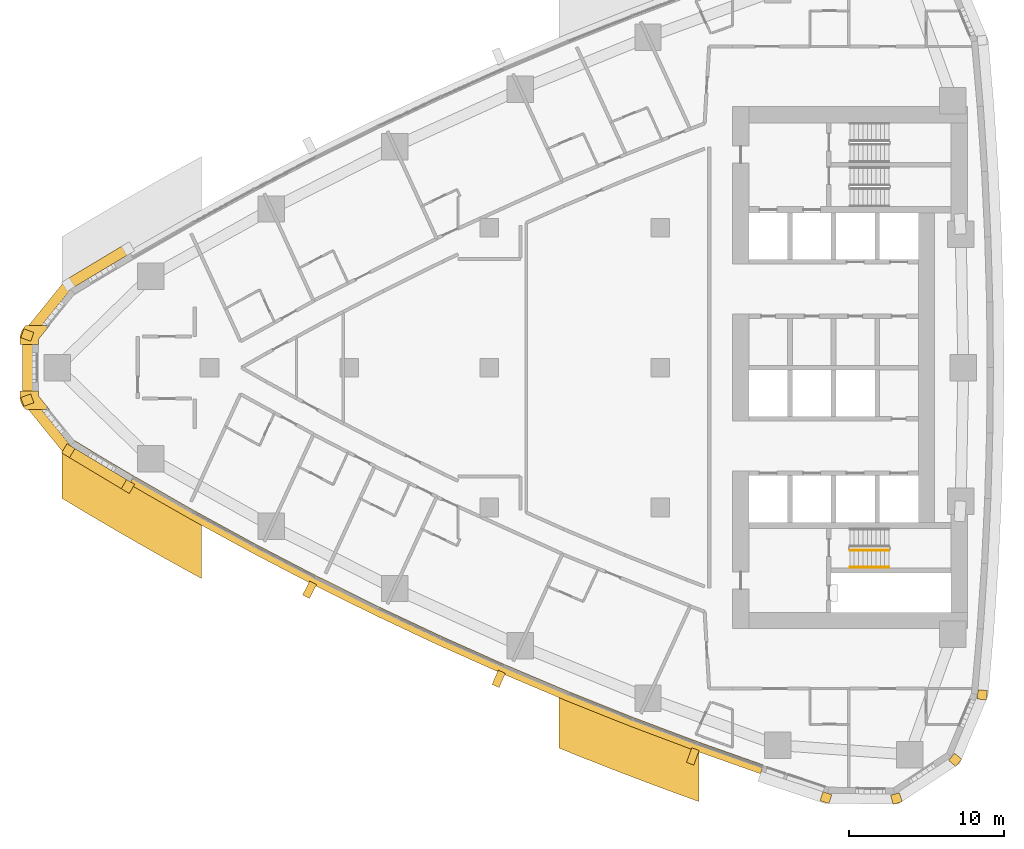
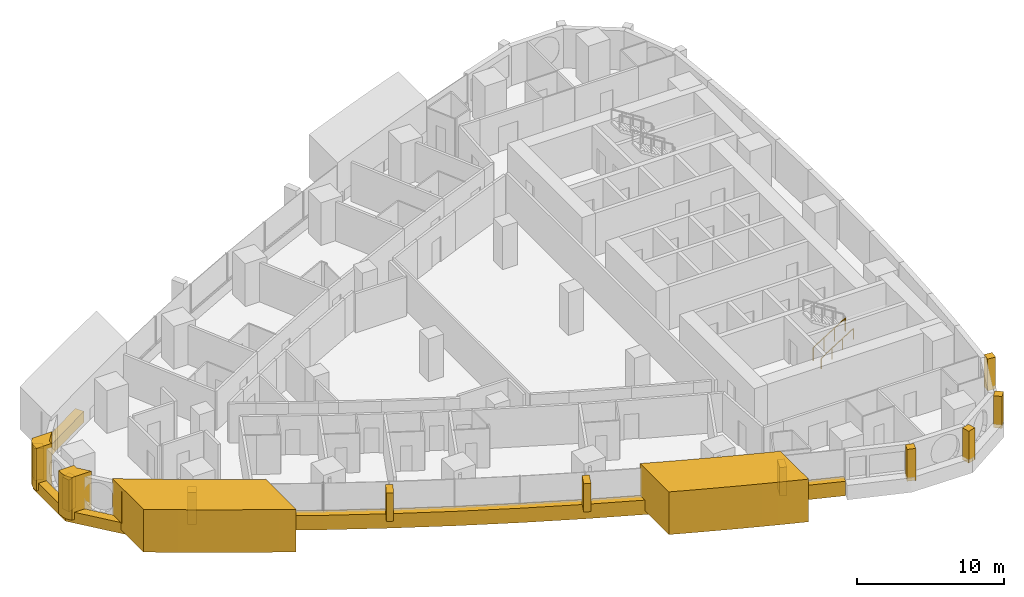
# One storey, part 14 of 17: 17 coverings, 2 railings.
"""IFC4 building model written with IfcOpenShell, lengths in metres."""

from ifc_helpers import new_model, si_unit, direction, frame, frame_2d, origin, origin_2d, place, context, subcontext, project, spatial, polyline, rectangle, circle, outline, extrude, material, layer, layer_set, type_object, element, save


model = new_model("IFC4")

# Units and contexts
model_context = context("Model", 3, precision=1e-05, world=origin(), true_north=direction((0.0, 1.0)))
body_context = subcontext(model_context, "Body", "Model", "MODEL_VIEW")
ifc_project = project(units=[si_unit("LENGTHUNIT", "METRE"), si_unit("AREAUNIT", "SQUARE_METRE"), si_unit("VOLUMEUNIT", "CUBIC_METRE"), si_unit("PLANEANGLEUNIT", "RADIAN"), si_unit("MASSUNIT", "GRAM", prefix="KILO")], contexts=[model_context])

# Site, building, storey
site_placement = place(None, origin())
site = spatial("IfcSite", under=ifc_project, at=site_placement, CompositionType="ELEMENT")
building_placement = place(site_placement, origin())
building = spatial("IfcBuilding", under=site, at=building_placement, Name="Ostrand Prow Hotel Tower", CompositionType="ELEMENT")
storey_placement = place(building_placement, frame((0.0, 0.0, 95.550048828125)))
storey = spatial("IfcBuildingStorey", under=building, at=storey_placement, Name="L22", CompositionType="ELEMENT", Elevation=95.550048828125)

# Coverings
ifc_material_1 = material(Name="Bronze anodised aluminium cladding", Category="aluminium")
ifc_layer_1 = layer(ifc_material_1, 0.60009765625)
ifc_layer_set_1 = layer_set([ifc_layer_1], Name="Bronze anodised aluminium cladding")
covering_type_1 = type_object("IfcCoveringType", Name="Bronze prow band 899x600", PredefinedType="CLADDING", material=ifc_layer_set_1)
covering_1_placement = place(storey_placement, frame((0.0, 0.0, -0.300048828125)))
element("IfcCovering", 1, at=covering_1_placement, inside=storey, type_object=covering_type_1, Name="Bronze prow band", PredefinedType="CLADDING", context=body_context, shape_type="SweptSolid", body=[
    extrude(outline(polyline([(10.580810546875, 7.9453125), (6.734130859375, 5.637939453125), (3.957763671875, 2.206787109375), (3.957763671875, -2.206787109375), (6.734130859375, -5.637939453125), (10.580810546875, -7.9453125), (10.9248046875, -7.358642578125), (7.089599609375, -5.058349609375), (4.598876953125, -1.97998046875), (4.598876953125, 1.97998046875), (7.089599609375, 5.058349609375), (10.9248046875, 7.358642578125), (10.580810546875, 7.9453125)])), origin(), (0.0, 0.0, 1.0), 0.89990234375),
])
ifc_material_2 = material(Name="Bronze anodised aluminium cladding", Category="aluminium")
ifc_layer_2 = layer(ifc_material_2, 0.60009765625)
ifc_layer_set_2 = layer_set([ifc_layer_2], Name="Bronze anodised aluminium cladding")
covering_type_2 = type_object("IfcCoveringType", Name="Bronze spandrel band 1200x600", PredefinedType="CLADDING", material=ifc_layer_set_2)
covering_2_placement = place(storey_placement, frame((0.0, 0.0, -0.300048828125)))
element("IfcCovering", 2, at=covering_2_placement, inside=storey, type_object=covering_type_2, Name="Spandrel band S1", PredefinedType="CLADDING", context=body_context, shape_type="SweptSolid", body=[
    extrude(outline(polyline([(10.841064453125, -7.50146484375), (14.72412109375, -9.726318359375), (18.651123046875, -11.872802734375), (22.620361328125, -13.940185546875), (26.6298828125, -15.927734375), (30.6787109375, -17.834716796875), (34.764892578125, -19.659912109375), (38.88671875, -21.4033203125), (43.042724609375, -23.0634765625), (47.231201171875, -24.64013671875), (51.4501953125, -26.1328125), (51.644775390625, -25.56494140625), (47.43701171875, -24.076416015625), (43.259765625, -22.504150390625), (39.114990234375, -20.848388671875), (35.004150390625, -19.10986328125), (30.928955078125, -17.289306640625), (26.89111328125, -15.3876953125), (22.89208984375, -13.4052734375), (18.93359375, -11.343505859375), (15.01708984375, -9.20263671875), (11.144287109375, -6.98388671875), (10.841064453125, -7.50146484375)])), origin(), (0.0, 0.0, 1.0), 1.199951171875),
])
ifc_material_3 = material(Name="Limestone cladding", Category="masonry")
ifc_layer_3 = layer(ifc_material_3, 5.0)
ifc_layer_set_3 = layer_set([ifc_layer_3], Name="Limestone cladding")
covering_type_3 = type_object("IfcCoveringType", Name="Portal jamb pilaster limestone", PredefinedType="CLADDING", material=ifc_layer_set_3)
covering_3_placement = place(storey_placement, origin())
element("IfcCovering", 3, at=covering_3_placement, inside=storey, type_object=covering_type_3, Name="Portal jamb SA L22", PredefinedType="CLADDING", context=body_context, shape_type="SweptSolid", body=[
    extrude(outline(polyline([(6.5, -4.184326171875), (6.5, -8.40625), (7.5, -9.0087890625), (8.5, -9.604248046875), (9.5, -10.19287109375), (10.5, -10.7744140625), (11.5, -11.349365234375), (12.5, -11.91748046875), (13.5, -12.478759765625), (14.5, -13.03369140625), (15.5, -13.581787109375), (15.5, -9.47216796875), (14.5, -8.912353515625), (13.5, -8.345703125), (12.5, -7.772216796875), (11.5, -7.19189453125), (10.5, -6.6044921875), (9.5, -6.01025390625), (8.5, -5.40869140625), (7.5, -4.80029296875), (6.5, -4.184326171875)])), origin(), (0.0, 0.0, 1.0), 3.550048828125),
])
covering_4_placement = place(storey_placement, origin())
element("IfcCovering", 4, at=covering_4_placement, inside=storey, type_object=covering_type_3, Name="Portal jamb SB L22", PredefinedType="CLADDING", context=body_context, shape_type="SweptSolid", body=[
    extrude(outline(polyline([(38.5, -20.59423828125), (38.5, -24.486083984375), (39.5, -24.890380859375), (40.5, -25.2890625), (41.5, -25.68212890625), (42.5, -26.06982421875), (43.5, -26.4521484375), (44.5, -26.8291015625), (45.5, -27.200439453125), (46.5, -27.566650390625), (47.5, -27.927490234375), (47.5, -24.099609375), (46.5, -23.732177734375), (45.5, -23.359130859375), (44.5, -22.98095703125), (43.5, -22.59716796875), (42.5, -22.207763671875), (41.5, -21.812744140625), (40.5, -21.412353515625), (39.5, -21.006103515625), (38.5, -20.59423828125)])), origin(), (0.0, 0.0, 1.0), 3.550048828125),
])
ifc_material_4 = material(Name="Limestone cladding", Category="masonry")
ifc_layer_4 = layer(ifc_material_4, 0.5)
ifc_layer_set_4 = layer_set([ifc_layer_4], Name="Limestone cladding")
covering_type_4 = type_object("IfcCoveringType", Name="Precast stone fin 500x900", PredefinedType="CLADDING", material=ifc_layer_set_4)
covering_5_placement = place(storey_placement, frame((22.66552734375, -13.85107421875, 0.89990234375), z_axis=(0.0, 0.0, 1.0), x_axis=(-0.453062569589, -0.891478719902, 0.0)))
element("IfcCovering", 5, at=covering_5_placement, inside=storey, type_object=covering_type_4, Name="Stone fin S 4", PredefinedType="CLADDING", context=body_context, shape_type="SweptSolid", body=[
    extrude(rectangle(XDim=1.000244140625, YDim=0.5, at=frame_2d((0.5, 0.0))), origin(), (0.0, 0.0, 1.0), 2.35009765625),
])
for number, where, z_axis, x_axis, name in (
    (6, (34.8046875, -19.568359375, 0.89990234375), (0.0, 0.0, 1.0), (-0.398717183359, -0.917073937965, 0.0), "Stone fin S 7"),
    (7, (47.265380859375, -24.546142578125, 0.89990234375), (0.0, 0.0, 1.0), (-0.342762160206, -0.93942221686, 0.0), "Stone fin S 10"),
):
    element("IfcCovering", number, at=place(storey_placement, frame(where, z_axis=z_axis, x_axis=x_axis)), inside=storey, type_object=covering_type_4, Name=name, PredefinedType="CLADDING", context=body_context, shape_type="SweptSolid", body=[
        extrude(rectangle(XDim=1.0, YDim=0.5, at=frame_2d((0.5, 0.0))), origin(), (0.0, 0.0, 1.0), 2.35009765625),
    ])
ifc_material_5 = material(Name="Limestone cladding", Category="masonry")
ifc_layer_5 = layer(ifc_material_5, 0.60009765625)
ifc_layer_set_5 = layer_set([ifc_layer_5], Name="Limestone cladding")
covering_type_5 = type_object("IfcCoveringType", Name="Precast stone prow rib 600x600", PredefinedType="CLADDING", material=ifc_layer_set_5)
for number, where, z_axis, x_axis, name in (
    (8, (4.598876953125, 1.97998046875, 0.599853515625), (0.0, 0.0, 1.0), (-0.942744850171, 0.333514838465, 0.0), "Stone prow rib 3"),
    (9, (4.598876953125, -1.97998046875, 0.599853515625), (0.0, 0.0, 1.0), (-0.942744850171, -0.333514838465, 0.0), "Stone prow rib 4"),
    (10, (7.089599609375, -5.058349609375, 0.599853515625), (0.0, 0.0, 1.0), (-0.522814637618, -0.852446394029, 0.0), "Stone prow rib 5"),
):
    element("IfcCovering", number, at=place(storey_placement, frame(where, z_axis=z_axis, x_axis=x_axis)), inside=storey, type_object=covering_type_5, Name=name, PredefinedType="CLADDING", context=body_context, shape_type="SweptSolid", body=[
        extrude(rectangle(XDim=0.679931640625, YDim=0.60009765625, at=frame_2d((0.33984375, 0.0))), origin(), (0.0, 0.0, 1.0), 2.650146484375),
    ])
covering_6_placement = place(storey_placement, frame((10.9248046875, -7.358642578125, 0.599853515625), z_axis=(0.0, 0.0, 1.0), x_axis=(-0.505811626043, -0.862643958397, 0.0)))
element("IfcCovering", 11, at=covering_6_placement, inside=storey, type_object=covering_type_5, Name="Stone prow rib 6", PredefinedType="CLADDING", context=body_context, shape_type="SweptSolid", body=[
    extrude(rectangle(XDim=0.68017578125, YDim=0.60009765625, at=frame_2d((0.340087890625, 0.0))), origin(), (0.0, 0.0, 1.0), 2.650146484375),
])
covering_7_placement = place(storey_placement, frame((55.7490234375, -27.3828125, 0.599853515625), z_axis=(0.0, 0.0, 1.0), x_axis=(-0.305218682065, -0.952282288042, 0.0)))
element("IfcCovering", 12, at=covering_7_placement, inside=storey, type_object=covering_type_5, Name="Stone corner rib 2a", PredefinedType="CLADDING", context=body_context, shape_type="SweptSolid", body=[
    extrude(rectangle(XDim=0.599853515625, YDim=0.60009765625, at=frame_2d((0.2998046875, 0.0))), origin(), (0.0, 0.0, 1.0), 2.650146484375),
])
covering_8_placement = place(storey_placement, frame((60.104736328125, -27.437744140625, 0.599853515625), z_axis=(0.0, 0.0, 1.0), x_axis=(0.280734221166, -0.959785547436, 0.0)))
element("IfcCovering", 13, at=covering_8_placement, inside=storey, type_object=covering_type_5, Name="Stone corner rib 3a", PredefinedType="CLADDING", context=body_context, shape_type="SweptSolid", body=[
    extrude(rectangle(XDim=0.60009765625, YDim=0.60009765625, at=frame_2d((0.300048828125, 0.0))), origin(), (0.0, 0.0, 1.0), 2.650146484375),
])
for number, where, z_axis, x_axis, name in (
    (14, (63.74365234375, -25.043212890625, 0.599853515625), (0.0, 0.0, 1.0), (0.770318500913, -0.637659319034, 0.0), "Stone corner rib 4a"),
    (15, (65.41650390625, -21.02099609375, 0.599853515625), (0.0, 0.0, 1.0), (0.99529571972, -0.096883591531, 0.0), "Stone corner rib 4b"),
):
    element("IfcCovering", number, at=place(storey_placement, frame(where, z_axis=z_axis, x_axis=x_axis)), inside=storey, type_object=covering_type_5, Name=name, PredefinedType="CLADDING", context=body_context, shape_type="SweptSolid", body=[
        extrude(rectangle(XDim=0.599853515625, YDim=0.60009765625, at=frame_2d((0.2998046875, 0.0))), origin(), (0.0, 0.0, 1.0), 2.650146484375),
    ])
ifc_material_6 = material(Name="Limestone cladding", Category="masonry")
ifc_layer_6 = layer(ifc_material_6, 3.0)
ifc_layer_set_6 = layer_set([ifc_layer_6], Name="Limestone cladding")
covering_type_6 = type_object("IfcCoveringType", Name="Prow nose pier limestone", PredefinedType="CLADDING", material=ifc_layer_set_6)
covering_9_placement = place(storey_placement, origin())
element("IfcCovering", 16, at=covering_9_placement, inside=storey, type_object=covering_type_6, Name="Prow spine fin N L22", PredefinedType="CLADDING", context=body_context, shape_type="SweptSolid", body=[
    extrude(outline(polyline([(3.808349609375, 1.8349609375), (3.808349609375, 1.5), (5.00830078125, 1.5), (5.00830078125, 1.8349609375), (5.708251953125, 2.699951171875), (4.16455078125, 2.699951171875), (4.075439453125, 2.58984375), (4.006591796875, 2.495849609375), (3.947265625, 2.3955078125), (3.897705078125, 2.289794921875), (3.85888671875, 2.179931640625), (3.830810546875, 2.06689453125), (3.81396484375, 1.951416015625), (3.808349609375, 1.8349609375)])), origin(), (0.0, 0.0, 1.0), 3.550048828125),
])
covering_10_placement = place(storey_placement, origin())
element("IfcCovering", 17, at=covering_10_placement, inside=storey, type_object=covering_type_6, Name="Prow spine fin S L22", PredefinedType="CLADDING", context=body_context, shape_type="SweptSolid", body=[
    extrude(outline(polyline([(4.075439453125, -2.58984375), (4.16455078125, -2.699951171875), (5.708251953125, -2.699951171875), (5.00830078125, -1.8349609375), (5.00830078125, -1.5), (3.808349609375, -1.5), (3.808349609375, -1.8349609375), (3.81396484375, -1.951416015625), (3.830810546875, -2.06689453125), (3.85888671875, -2.179931640625), (3.897705078125, -2.289794921875), (3.947265625, -2.3955078125), (4.006591796875, -2.495849609375), (4.075439453125, -2.58984375)])), origin(), (0.0, 0.0, 1.0), 3.550048828125),
])

# Railings
ifc_material_7 = material(Name="Painted steel", Category="steel")
railing_type_1 = type_object("IfcRailingType", Name="Stair guard 1100", PredefinedType="GUARDRAIL", material=ifc_material_7)
railing_1_placement = place(storey_placement, frame((57.199951171875, -11.75, 0.177490234375)))
element("IfcRailing", 18, at=railing_1_placement, inside=storey, type_object=railing_type_1, Name="L22 ST2C stair guard 1", PredefinedType="GUARDRAIL", context=body_context, shape_type="SweptSolid", body=[
    extrude(circle(Radius=0.02392578125, at=origin_2d()), frame((0.0, 0.0, 1.076171875), z_axis=(0.84460694969, 0.0, 0.535386869969), x_axis=(0.0, 1.0, 0.0)), (0.0, 0.0, 1.0), 2.983642578125),
    extrude(circle(Radius=0.02099609375, at=origin_2d()), origin(), (0.0, 0.0, 1.0), 1.052001953125),
    extrude(circle(Radius=0.02099609375, at=origin_2d()), frame((0.840087890625, 0.0, 0.532470703125)), (0.0, 0.0, 1.0), 1.052001953125),
    extrude(circle(Radius=0.02099609375, at=origin_2d()), frame((1.679931640625, 0.0, 1.06494140625)), (0.0, 0.0, 1.0), 1.052001953125),
    extrude(circle(Radius=0.02099609375, at=origin_2d()), frame((2.52001953125, 0.0, 1.597412109375)), (0.0, 0.0, 1.0), 1.052001953125),
])
ifc_material_8 = material(Name="Stainless steel", Category="steel")
railing_type_2 = type_object("IfcRailingType", Name="Stair handrail 900", PredefinedType="HANDRAIL", material=ifc_material_8)
railing_2_placement = place(storey_placement, frame((57.199951171875, -12.85009765625, 0.177490234375)))
element("IfcRailing", 19, at=railing_2_placement, inside=storey, type_object=railing_type_2, Name="L22 ST2C stair handrail 1", PredefinedType="HANDRAIL", context=body_context, shape_type="SweptSolid", body=[
    extrude(circle(Radius=0.02392578125, at=origin_2d()), frame((0.0, 0.0, 0.8759765625), z_axis=(0.84460694969, 0.0, 0.535386869969), x_axis=(0.0, 1.0, 0.0)), (0.0, 0.0, 1.0), 2.983642578125),
    extrude(circle(Radius=0.02099609375, at=origin_2d()), origin(), (0.0, 0.0, 1.0), 0.851806640625),
    extrude(circle(Radius=0.02099609375, at=origin_2d()), frame((0.840087890625, 0.0, 0.532470703125)), (0.0, 0.0, 1.0), 0.851806640625),
    extrude(circle(Radius=0.02099609375, at=origin_2d()), frame((1.679931640625, 0.0, 1.06494140625)), (0.0, 0.0, 1.0), 0.851806640625),
    extrude(circle(Radius=0.02099609375, at=origin_2d()), frame((2.52001953125, 0.0, 1.597412109375)), (0.0, 0.0, 1.0), 0.851806640625),
])

save(model, "model.ifc")
